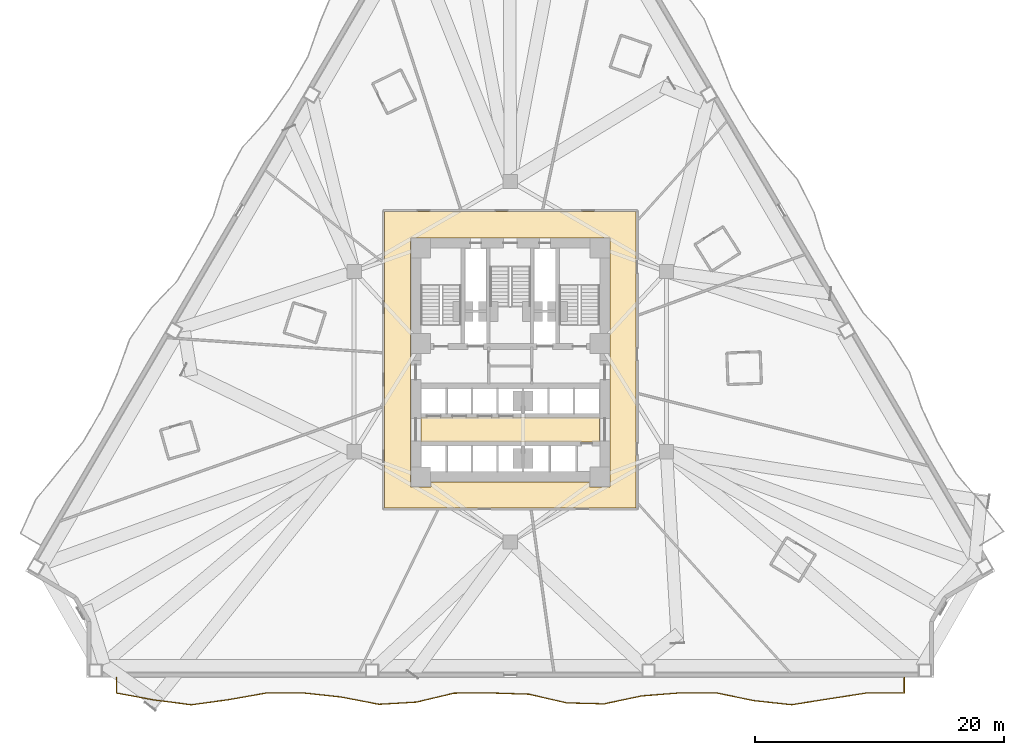
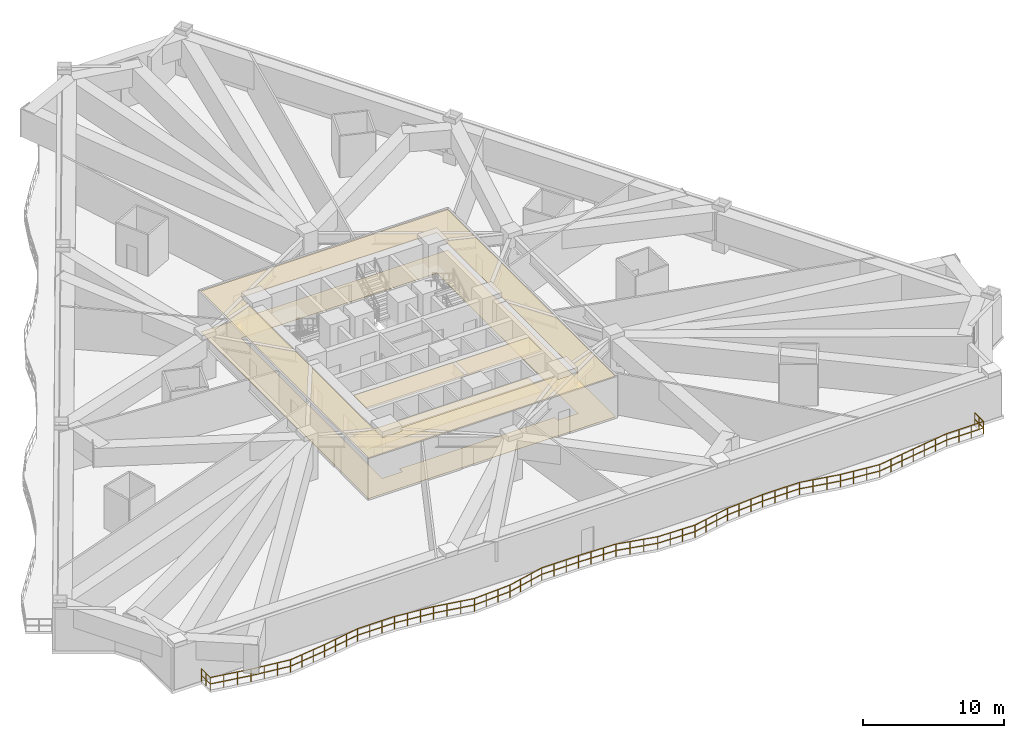
# One storey, part 12 of 16: 4 coverings, 1 railing.
"""IFC4 building model written with IfcOpenShell, lengths in metres."""

from ifc_helpers import new_model, si_unit, direction, frame, origin, origin_2d, place, context, subcontext, project, spatial, polyline, rectangle, outline, extrude, material, layer, layer_set, type_object, element, save


model = new_model("IFC4")

# Units and contexts
model_context = context("Model", 3, precision=1e-05, world=origin(), true_north=direction((0.0, 1.0)))
body_context = subcontext(model_context, "Body", "Model", "MODEL_VIEW")
ifc_project = project(units=[si_unit("LENGTHUNIT", "METRE"), si_unit("AREAUNIT", "SQUARE_METRE"), si_unit("VOLUMEUNIT", "CUBIC_METRE"), si_unit("PLANEANGLEUNIT", "RADIAN"), si_unit("MASSUNIT", "GRAM", prefix="KILO")], contexts=[model_context])

# Site, building, storey
site_placement = place(None, origin())
site = spatial("IfcSite", under=ifc_project, at=site_placement, CompositionType="ELEMENT")
building_placement = place(site_placement, origin())
building = spatial("IfcBuilding", under=site, at=building_placement, Name="Apsidion Concourse Tower", CompositionType="ELEMENT")
storey_placement = place(building_placement, frame((0.0, 0.0, 58.39990234375)))
storey = spatial("IfcBuildingStorey", under=building, at=storey_placement, Name="L12", CompositionType="ELEMENT", Elevation=58.39990234375)

# Coverings
ifc_material_1 = material(Name="Acoustic mineral fibre ceiling")
ifc_layer_1 = layer(ifc_material_1, 0.0400390625)
ifc_layer_set_1 = layer_set([ifc_layer_1], Name="Acoustic mineral fibre ceiling")
covering_type_1 = type_object("IfcCoveringType", Name="COV-CEIL-40", PredefinedType="CEILING", material=ifc_layer_set_1)
covering_1_placement = place(storey_placement, frame((0.0, 0.0, 3.5)))
element("IfcCovering", 1, at=covering_1_placement, inside=storey, type_object=covering_type_1, Name="L12 Acoustic Ceiling Grid 1", PredefinedType="CEILING", context=body_context, shape_type="SweptSolid", body=[
    extrude(outline(polyline([(-7.179931640625, -6.449951171875), (-7.179931640625, -4.47998046875), (7.179931640625, -4.47998046875), (7.179931640625, -6.449951171875), (-7.179931640625, -6.449951171875)])), origin(), (0.0, 0.0, 1.0), 0.0400390625),
])
covering_2_placement = place(storey_placement, frame((0.0, 0.0, 3.5)))
element("IfcCovering", 2, at=covering_2_placement, inside=storey, type_object=covering_type_1, Name="L12 Acoustic Ceiling Grid 2", PredefinedType="CEILING", context=body_context, shape_type="SweptSolid", body=[
    extrude(outline(polyline([(10.1201171875, 12.070068359375), (10.1201171875, -11.77001953125), (-10.1201171875, -11.77001953125), (-10.1201171875, 12.070068359375), (10.1201171875, 12.070068359375)]), holes=[polyline([(-8.02001953125, 9.949951171875), (-8.02001953125, 8.35009765625), (-8.02001953125, 2.25), (-8.02001953125, 0.64990234375), (-8.02001953125, -8.449951171875), (-8.02001953125, -9.669921875), (-8.02001953125, -10.050048828125), (-8.02001953125, -10.052001953125), (-8.01953125, -10.053955078125), (-8.01904296875, -10.055908203125), (-8.0185546875, -10.0576171875), (-8.017578125, -10.059326171875), (-8.0166015625, -10.06103515625), (-8.015380859375, -10.062744140625), (-8.01416015625, -10.064208984375), (-8.0126953125, -10.0654296875), (-8.010986328125, -10.066650390625), (-8.009521484375, -10.067626953125), (-8.0078125, -10.068603515625), (-8.005859375, -10.069091796875), (-8.00390625, -10.069580078125), (-8.001953125, -10.06982421875), (-8.0, -10.070068359375), (-6.39990234375, -10.070068359375), (-6.39794921875, -10.06982421875), (-6.39599609375, -10.069580078125), (-6.394287109375, -10.069091796875), (-6.392333984375, -10.068603515625), (-6.390625, -10.067626953125), (-6.388916015625, -10.066650390625), (-6.38720703125, -10.0654296875), (-6.385986328125, -10.064208984375), (-6.384521484375, -10.062744140625), (-6.38330078125, -10.06103515625), (-6.38232421875, -10.059326171875), (-6.381591796875, -10.0576171875), (-6.380859375, -10.055908203125), (-6.38037109375, -10.053955078125), (-6.380126953125, -10.052001953125), (-6.3798828125, -10.050048828125), (-6.3798828125, -9.669921875), (6.3798828125, -9.669921875), (6.3798828125, -10.050048828125), (6.380126953125, -10.052001953125), (6.38037109375, -10.053955078125), (6.380859375, -10.055908203125), (6.381591796875, -10.0576171875), (6.38232421875, -10.059326171875), (6.38330078125, -10.06103515625), (6.384521484375, -10.062744140625), (6.385986328125, -10.064208984375), (6.38720703125, -10.0654296875), (6.388916015625, -10.066650390625), (6.390625, -10.067626953125), (6.392333984375, -10.068603515625), (6.394287109375, -10.069091796875), (6.39599609375, -10.069580078125), (6.39794921875, -10.06982421875), (6.39990234375, -10.070068359375), (8.0, -10.070068359375), (8.001953125, -10.06982421875), (8.00390625, -10.069580078125), (8.005859375, -10.069091796875), (8.0078125, -10.068603515625), (8.009521484375, -10.067626953125), (8.010986328125, -10.066650390625), (8.0126953125, -10.0654296875), (8.01416015625, -10.064208984375), (8.015380859375, -10.062744140625), (8.0166015625, -10.06103515625), (8.017578125, -10.059326171875), (8.0185546875, -10.0576171875), (8.01904296875, -10.055908203125), (8.01953125, -10.053955078125), (8.02001953125, -10.052001953125), (8.02001953125, -10.050048828125), (8.02001953125, -9.669921875), (8.02001953125, -8.449951171875), (8.02001953125, 0.64990234375), (8.02001953125, 2.25), (8.02001953125, 8.35009765625), (8.02001953125, 9.949951171875), (8.02001953125, 9.969970703125), (8.0, 9.969970703125), (6.39990234375, 9.969970703125), (-6.39990234375, 9.969970703125), (-8.0, 9.969970703125), (-8.02001953125, 9.969970703125), (-8.02001953125, 9.949951171875)])]), origin(), (0.0, 0.0, 1.0), 0.0400390625),
])
ifc_material_2 = material(Name="Honed travertine floor finish", Category="masonry")
ifc_layer_2 = layer(ifc_material_2, 0.02001953125)
ifc_layer_set_2 = layer_set([ifc_layer_2], Name="Honed travertine floor finish")
covering_type_2 = type_object("IfcCoveringType", Name="COV-FLOR-20", PredefinedType="FLOORING", material=ifc_layer_set_2)
covering_3_placement = place(storey_placement, origin())
element("IfcCovering", 3, at=covering_3_placement, inside=storey, type_object=covering_type_2, Name="L12 Honed Travertine Floor Finish 1", PredefinedType="FLOORING", context=body_context, shape_type="SweptSolid", body=[
    extrude(outline(polyline([(-7.179931640625, -6.449951171875), (-7.179931640625, -4.47998046875), (7.179931640625, -4.47998046875), (7.179931640625, -6.449951171875), (-7.179931640625, -6.449951171875)])), origin(), (0.0, 0.0, 1.0), 0.02001953125),
])
covering_4_placement = place(storey_placement, origin())
element("IfcCovering", 4, at=covering_4_placement, inside=storey, type_object=covering_type_2, Name="L12 Honed Travertine Floor Finish 2", PredefinedType="FLOORING", context=body_context, shape_type="SweptSolid", body=[
    extrude(outline(polyline([(10.1201171875, 12.070068359375), (10.1201171875, -11.77001953125), (-10.1201171875, -11.77001953125), (-10.1201171875, 12.070068359375), (10.1201171875, 12.070068359375)]), holes=[polyline([(-8.02001953125, 9.949951171875), (-8.02001953125, 8.35009765625), (-8.02001953125, 2.25), (-8.02001953125, 0.64990234375), (-8.02001953125, -8.449951171875), (-8.02001953125, -9.669921875), (-8.02001953125, -10.050048828125), (-8.02001953125, -10.052001953125), (-8.01953125, -10.053955078125), (-8.01904296875, -10.055908203125), (-8.0185546875, -10.0576171875), (-8.017578125, -10.059326171875), (-8.0166015625, -10.06103515625), (-8.015380859375, -10.062744140625), (-8.01416015625, -10.064208984375), (-8.0126953125, -10.0654296875), (-8.010986328125, -10.066650390625), (-8.009521484375, -10.067626953125), (-8.0078125, -10.068603515625), (-8.005859375, -10.069091796875), (-8.00390625, -10.069580078125), (-8.001953125, -10.06982421875), (-8.0, -10.070068359375), (-6.39990234375, -10.070068359375), (-6.39794921875, -10.06982421875), (-6.39599609375, -10.069580078125), (-6.394287109375, -10.069091796875), (-6.392333984375, -10.068603515625), (-6.390625, -10.067626953125), (-6.388916015625, -10.066650390625), (-6.38720703125, -10.0654296875), (-6.385986328125, -10.064208984375), (-6.384521484375, -10.062744140625), (-6.38330078125, -10.06103515625), (-6.38232421875, -10.059326171875), (-6.381591796875, -10.0576171875), (-6.380859375, -10.055908203125), (-6.38037109375, -10.053955078125), (-6.380126953125, -10.052001953125), (-6.3798828125, -10.050048828125), (-6.3798828125, -9.669921875), (6.3798828125, -9.669921875), (6.3798828125, -10.050048828125), (6.380126953125, -10.052001953125), (6.38037109375, -10.053955078125), (6.380859375, -10.055908203125), (6.381591796875, -10.0576171875), (6.38232421875, -10.059326171875), (6.38330078125, -10.06103515625), (6.384521484375, -10.062744140625), (6.385986328125, -10.064208984375), (6.38720703125, -10.0654296875), (6.388916015625, -10.066650390625), (6.390625, -10.067626953125), (6.392333984375, -10.068603515625), (6.394287109375, -10.069091796875), (6.39599609375, -10.069580078125), (6.39794921875, -10.06982421875), (6.39990234375, -10.070068359375), (8.0, -10.070068359375), (8.001953125, -10.06982421875), (8.00390625, -10.069580078125), (8.005859375, -10.069091796875), (8.0078125, -10.068603515625), (8.009521484375, -10.067626953125), (8.010986328125, -10.066650390625), (8.0126953125, -10.0654296875), (8.01416015625, -10.064208984375), (8.015380859375, -10.062744140625), (8.0166015625, -10.06103515625), (8.017578125, -10.059326171875), (8.0185546875, -10.0576171875), (8.01904296875, -10.055908203125), (8.01953125, -10.053955078125), (8.02001953125, -10.052001953125), (8.02001953125, -10.050048828125), (8.02001953125, -9.669921875), (8.02001953125, -8.449951171875), (8.02001953125, 0.64990234375), (8.02001953125, 2.25), (8.02001953125, 8.35009765625), (8.02001953125, 9.949951171875), (8.02001953125, 9.969970703125), (8.0, 9.969970703125), (6.39990234375, 9.969970703125), (-6.39990234375, 9.969970703125), (-8.0, 9.969970703125), (-8.02001953125, 9.969970703125), (-8.02001953125, 9.949951171875)])]), origin(), (0.0, 0.0, 1.0), 0.02001953125),
])

# Railing
ifc_material_3 = material(Name="Brushed stainless steel 316", Category="steel")
railing_type = type_object("IfcRailingType", Name="RL-BAL-1120", PredefinedType="BALUSTRADE", material=ifc_material_3)
railing_placement = place(storey_placement, frame((31.68798828125, -25.39990234375, 0.0)))
element("IfcRailing", 5, at=railing_placement, inside=storey, type_object=railing_type, Name="L12 Face 2 Rippling Balcony Balustrade", PredefinedType="BALUSTRADE", context=body_context, shape_type="SweptSolid", body=[
    extrude(rectangle(XDim=0.048095703125, YDim=0.048095703125, at=origin_2d()), frame((0.0, 0.0, 1.09619140625), z_axis=(0.0, -1.0, 0.0), x_axis=(1.0, 0.0, 0.0)), (0.0, 0.0, 1.0), 1.25),
    extrude(rectangle(XDim=0.048095703125, YDim=0.048095703125, at=origin_2d()), frame((0.0, 0.0, 0.5361328125), z_axis=(0.0, -1.0, 0.0), x_axis=(1.0, 0.0, 0.0)), (0.0, 0.0, 1.0), 1.25),
    extrude(rectangle(XDim=0.048095703125, YDim=0.048095703125, at=origin_2d()), frame((0.0, -1.25, 1.09619140625), z_axis=(-1.0, 0.0, 0.0), x_axis=(0.0, -1.0, 0.0)), (0.0, 0.0, 1.0), 3.017822265625),
    extrude(rectangle(XDim=0.048095703125, YDim=0.048095703125, at=origin_2d()), frame((0.0, -1.25, 0.5361328125), z_axis=(-1.0, 0.0, 0.0), x_axis=(0.0, -1.0, 0.0)), (0.0, 0.0, 1.0), 3.017822265625),
    extrude(rectangle(XDim=0.048095703125, YDim=0.048095703125, at=origin_2d()), frame((-3.017822265625, -1.25, 1.09619140625), z_axis=(-0.988259593014, -0.152784085612, 0.0), x_axis=(0.152784085612, -0.988259593014, 0.0)), (0.0, 0.0, 1.0), 3.0537109375),
    extrude(rectangle(XDim=0.048095703125, YDim=0.048095703125, at=origin_2d()), frame((-3.017822265625, -1.25, 0.5361328125), z_axis=(-0.988259593014, -0.152784085612, 0.0), x_axis=(0.152784085612, -0.988259593014, 0.0)), (0.0, 0.0, 1.0), 3.0537109375),
    extrude(rectangle(XDim=0.048095703125, YDim=0.048095703125, at=origin_2d()), frame((-6.03564453125, -1.716552734375, 1.09619140625), z_axis=(-0.987673398745, -0.15652877503, 0.0), x_axis=(0.15652877503, -0.987673398745, 0.0)), (0.0, 0.0, 1.0), 3.055419921875),
    extrude(rectangle(XDim=0.048095703125, YDim=0.048095703125, at=origin_2d()), frame((-6.03564453125, -1.716552734375, 0.5361328125), z_axis=(-0.987673398745, -0.15652877503, 0.0), x_axis=(0.15652877503, -0.987673398745, 0.0)), (0.0, 0.0, 1.0), 3.055419921875),
    extrude(rectangle(XDim=0.048095703125, YDim=0.048095703125, at=origin_2d()), frame((-9.053466796875, -2.19482421875, 1.09619140625), z_axis=(-0.99421076335, 0.107447466416, 0.0), x_axis=(-0.107447466416, -0.99421076335, 0.0)), (0.0, 0.0, 1.0), 3.03564453125),
    extrude(rectangle(XDim=0.048095703125, YDim=0.048095703125, at=origin_2d()), frame((-9.053466796875, -2.19482421875, 0.5361328125), z_axis=(-0.99421076335, 0.107447466416, 0.0), x_axis=(-0.107447466416, -0.99421076335, 0.0)), (0.0, 0.0, 1.0), 3.03564453125),
    extrude(rectangle(XDim=0.048095703125, YDim=0.048095703125, at=origin_2d()), frame((-12.071533203125, -1.86865234375, 1.09619140625), z_axis=(-0.97963068948, 0.200807649826, 0.0), x_axis=(-0.200807649826, -0.97963068948, 0.0)), (0.0, 0.0, 1.0), 3.080810546875),
    extrude(rectangle(XDim=0.048095703125, YDim=0.048095703125, at=origin_2d()), frame((-12.071533203125, -1.86865234375, 0.5361328125), z_axis=(-0.97963068948, 0.200807649826, 0.0), x_axis=(-0.200807649826, -0.97963068948, 0.0)), (0.0, 0.0, 1.0), 3.080810546875),
    extrude(rectangle(XDim=0.048095703125, YDim=0.048095703125, at=origin_2d()), frame((-15.089599609375, -1.25, 1.09619140625), z_axis=(-1.0, 0.0, 0.0), x_axis=(0.0, -1.0, 0.0)), (0.0, 0.0, 1.0), 3.017822265625),
    extrude(rectangle(XDim=0.048095703125, YDim=0.048095703125, at=origin_2d()), frame((-15.089599609375, -1.25, 0.5361328125), z_axis=(-1.0, 0.0, 0.0), x_axis=(0.0, -1.0, 0.0)), (0.0, 0.0, 1.0), 3.017822265625),
    extrude(rectangle(XDim=0.048095703125, YDim=0.048095703125, at=origin_2d()), frame((-18.107421875, -1.25, 1.09619140625), z_axis=(-0.996954013854, -0.077991629431, 0.0), x_axis=(0.077991629431, -0.996954013854, 0.0)), (0.0, 0.0, 1.0), 3.027099609375),
    extrude(rectangle(XDim=0.048095703125, YDim=0.048095703125, at=origin_2d()), frame((-18.107421875, -1.25, 0.5361328125), z_axis=(-0.996954013854, -0.077991629431, 0.0), x_axis=(0.077991629431, -0.996954013854, 0.0)), (0.0, 0.0, 1.0), 3.027099609375),
    extrude(rectangle(XDim=0.048095703125, YDim=0.048095703125, at=origin_2d()), frame((-21.125244140625, -1.486083984375, 1.09619140625), z_axis=(-0.978282779976, -0.207274702755, 0.0), x_axis=(0.207274702755, -0.978282779976, 0.0)), (0.0, 0.0, 1.0), 3.084716796875),
    extrude(rectangle(XDim=0.048095703125, YDim=0.048095703125, at=origin_2d()), frame((-21.125244140625, -1.486083984375, 0.5361328125), z_axis=(-0.978282779976, -0.207274702755, 0.0), x_axis=(0.207274702755, -0.978282779976, 0.0)), (0.0, 0.0, 1.0), 3.084716796875),
    extrude(rectangle(XDim=0.048095703125, YDim=0.048095703125, at=origin_2d()), frame((-24.14306640625, -2.12548828125, 1.09619140625), z_axis=(-0.999660934702, 0.026038733293, 0.0), x_axis=(-0.026038733293, -0.999660934702, 0.0)), (0.0, 0.0, 1.0), 3.01904296875),
    extrude(rectangle(XDim=0.048095703125, YDim=0.048095703125, at=origin_2d()), frame((-24.14306640625, -2.12548828125, 0.5361328125), z_axis=(-0.999660934702, 0.026038733293, 0.0), x_axis=(-0.026038733293, -0.999660934702, 0.0)), (0.0, 0.0, 1.0), 3.01904296875),
    extrude(rectangle(XDim=0.048095703125, YDim=0.048095703125, at=origin_2d()), frame((-27.1611328125, -2.046875, 1.09619140625), z_axis=(-0.97424487037, 0.225492644133, 0.0), x_axis=(-0.225492644133, -0.97424487037, 0.0)), (0.0, 0.0, 1.0), 3.09765625),
    extrude(rectangle(XDim=0.048095703125, YDim=0.048095703125, at=origin_2d()), frame((-27.1611328125, -2.046875, 0.5361328125), z_axis=(-0.97424487037, 0.225492644133, 0.0), x_axis=(-0.225492644133, -0.97424487037, 0.0)), (0.0, 0.0, 1.0), 3.09765625),
    extrude(rectangle(XDim=0.048095703125, YDim=0.048095703125, at=origin_2d()), frame((-30.178955078125, -1.348388671875, 1.09619140625), z_axis=(-0.999469046332, 0.03258259389, 0.0), x_axis=(-0.03258259389, -0.999469046332, 0.0)), (0.0, 0.0, 1.0), 3.019775390625),
    extrude(rectangle(XDim=0.048095703125, YDim=0.048095703125, at=origin_2d()), frame((-30.178955078125, -1.348388671875, 0.5361328125), z_axis=(-0.999469046332, 0.03258259389, 0.0), x_axis=(-0.03258259389, -0.999469046332, 0.0)), (0.0, 0.0, 1.0), 3.019775390625),
    extrude(rectangle(XDim=0.048095703125, YDim=0.048095703125, at=origin_2d()), frame((-33.197021484375, -1.25, 1.09619140625), z_axis=(-0.99998936823, -0.004611228379, 0.0), x_axis=(0.004611228379, -0.99998936823, 0.0)), (0.0, 0.0, 1.0), 3.017822265625),
    extrude(rectangle(XDim=0.048095703125, YDim=0.048095703125, at=origin_2d()), frame((-33.197021484375, -1.25, 0.5361328125), z_axis=(-0.99998936823, -0.004611228379, 0.0), x_axis=(0.004611228379, -0.99998936823, 0.0)), (0.0, 0.0, 1.0), 3.017822265625),
    extrude(rectangle(XDim=0.048095703125, YDim=0.048095703125, at=origin_2d()), frame((-36.21484375, -1.263916015625, 1.09619140625), z_axis=(-0.972758913206, -0.231819103568, 0.0), x_axis=(0.231819103568, -0.972758913206, 0.0)), (0.0, 0.0, 1.0), 3.1025390625),
    extrude(rectangle(XDim=0.048095703125, YDim=0.048095703125, at=origin_2d()), frame((-36.21484375, -1.263916015625, 0.5361328125), z_axis=(-0.972758913206, -0.231819103568, 0.0), x_axis=(0.231819103568, -0.972758913206, 0.0)), (0.0, 0.0, 1.0), 3.1025390625),
    extrude(rectangle(XDim=0.048095703125, YDim=0.048095703125, at=origin_2d()), frame((-39.23291015625, -1.983154296875, 1.09619140625), z_axis=(-0.998246413428, -0.059195422785, 0.0), x_axis=(0.059195422785, -0.998246413428, 0.0)), (0.0, 0.0, 1.0), 3.023193359375),
    extrude(rectangle(XDim=0.048095703125, YDim=0.048095703125, at=origin_2d()), frame((-39.23291015625, -1.983154296875, 0.5361328125), z_axis=(-0.998246413428, -0.059195422785, 0.0), x_axis=(0.059195422785, -0.998246413428, 0.0)), (0.0, 0.0, 1.0), 3.023193359375),
    extrude(rectangle(XDim=0.048095703125, YDim=0.048095703125, at=origin_2d()), frame((-42.250732421875, -2.162109375, 1.09619140625), z_axis=(-0.981742071642, 0.190216993899, 0.0), x_axis=(-0.190216993899, -0.981742071642, 0.0)), (0.0, 0.0, 1.0), 3.073974609375),
    extrude(rectangle(XDim=0.048095703125, YDim=0.048095703125, at=origin_2d()), frame((-42.250732421875, -2.162109375, 0.5361328125), z_axis=(-0.981742071642, 0.190216993899, 0.0), x_axis=(-0.190216993899, -0.981742071642, 0.0)), (0.0, 0.0, 1.0), 3.073974609375),
    extrude(rectangle(XDim=0.048095703125, YDim=0.048095703125, at=origin_2d()), frame((-45.2685546875, -1.577392578125, 1.09619140625), z_axis=(-0.994166793265, 0.107853545002, 0.0), x_axis=(-0.107853545002, -0.994166793265, 0.0)), (0.0, 0.0, 1.0), 3.03564453125),
    extrude(rectangle(XDim=0.048095703125, YDim=0.048095703125, at=origin_2d()), frame((-45.2685546875, -1.577392578125, 0.5361328125), z_axis=(-0.994166793265, 0.107853545002, 0.0), x_axis=(-0.107853545002, -0.994166793265, 0.0)), (0.0, 0.0, 1.0), 3.03564453125),
    extrude(rectangle(XDim=0.048095703125, YDim=0.048095703125, at=origin_2d()), frame((-48.286376953125, -1.25, 1.09619140625), z_axis=(-1.0, 0.0, 0.0), x_axis=(0.0, -1.0, 0.0)), (0.0, 0.0, 1.0), 3.01806640625),
    extrude(rectangle(XDim=0.048095703125, YDim=0.048095703125, at=origin_2d()), frame((-48.286376953125, -1.25, 0.5361328125), z_axis=(-1.0, 0.0, 0.0), x_axis=(0.0, -1.0, 0.0)), (0.0, 0.0, 1.0), 3.01806640625),
    extrude(rectangle(XDim=0.048095703125, YDim=0.048095703125, at=origin_2d()), frame((-51.304443359375, -1.25, 1.09619140625), z_axis=(-0.984585680031, -0.174902940734, 0.0), x_axis=(0.174902940734, -0.984585680031, 0.0)), (0.0, 0.0, 1.0), 3.0654296875),
    extrude(rectangle(XDim=0.048095703125, YDim=0.048095703125, at=origin_2d()), frame((-51.304443359375, -1.25, 0.5361328125), z_axis=(-0.984585680031, -0.174902940734, 0.0), x_axis=(0.174902940734, -0.984585680031, 0.0)), (0.0, 0.0, 1.0), 3.0654296875),
    extrude(rectangle(XDim=0.048095703125, YDim=0.048095703125, at=origin_2d()), frame((-54.322509765625, -1.7861328125, 1.09619140625), z_axis=(-0.990728932231, -0.135853534514, 0.0), x_axis=(0.135853534514, -0.990728932231, 0.0)), (0.0, 0.0, 1.0), 3.046142578125),
    extrude(rectangle(XDim=0.048095703125, YDim=0.048095703125, at=origin_2d()), frame((-54.322509765625, -1.7861328125, 0.5361328125), z_axis=(-0.990728932231, -0.135853534514, 0.0), x_axis=(0.135853534514, -0.990728932231, 0.0)), (0.0, 0.0, 1.0), 3.046142578125),
    extrude(rectangle(XDim=0.048095703125, YDim=0.048095703125, at=origin_2d()), frame((-57.34033203125, -2.199951171875, 1.09619140625), z_axis=(-0.991458935987, 0.130419240346, 0.0), x_axis=(-0.130419240346, -0.991458935987, 0.0)), (0.0, 0.0, 1.0), 3.043701171875),
    extrude(rectangle(XDim=0.048095703125, YDim=0.048095703125, at=origin_2d()), frame((-57.34033203125, -2.199951171875, 0.5361328125), z_axis=(-0.991458935987, 0.130419240346, 0.0), x_axis=(-0.130419240346, -0.991458935987, 0.0)), (0.0, 0.0, 1.0), 3.043701171875),
    extrude(rectangle(XDim=0.048095703125, YDim=0.048095703125, at=origin_2d()), frame((-60.358154296875, -1.802978515625, 1.09619140625), z_axis=(-0.983623255084, 0.180236766667, 0.0), x_axis=(-0.180236766667, -0.983623255084, 0.0)), (0.0, 0.0, 1.0), 3.068115234375),
    extrude(rectangle(XDim=0.048095703125, YDim=0.048095703125, at=origin_2d()), frame((-60.358154296875, -1.802978515625, 0.5361328125), z_axis=(-0.983623255084, 0.180236766667, 0.0), x_axis=(-0.180236766667, -0.983623255084, 0.0)), (0.0, 0.0, 1.0), 3.068115234375),
    extrude(rectangle(XDim=0.048095703125, YDim=0.048095703125, at=origin_2d()), frame((-63.3759765625, -1.25, 1.09619140625), z_axis=(0.0, 1.0, 0.0), x_axis=(-1.0, 0.0, 0.0)), (0.0, 0.0, 1.0), 1.25),
    extrude(rectangle(XDim=0.048095703125, YDim=0.048095703125, at=origin_2d()), frame((-63.3759765625, -1.25, 0.5361328125), z_axis=(0.0, 1.0, 0.0), x_axis=(-1.0, 0.0, 0.0)), (0.0, 0.0, 1.0), 1.25),
    extrude(rectangle(XDim=0.0419921875, YDim=0.0419921875, at=origin_2d()), origin(), (0.0, 0.0, 1.0), 1.072021484375),
    extrude(rectangle(XDim=0.0419921875, YDim=0.0419921875, at=origin_2d()), frame((0.0, -0.625, 0.0)), (0.0, 0.0, 1.0), 1.072021484375),
    extrude(rectangle(XDim=0.0419921875, YDim=0.0419921875, at=origin_2d()), frame((0.0, -1.25, 0.0)), (0.0, 0.0, 1.0), 1.072021484375),
    extrude(rectangle(XDim=0.0419921875, YDim=0.0419921875, at=origin_2d()), frame((-1.005859375, -1.25, 0.0)), (0.0, 0.0, 1.0), 1.072021484375),
    extrude(rectangle(XDim=0.0419921875, YDim=0.0419921875, at=origin_2d()), frame((-2.011962890625, -1.25, 0.0)), (0.0, 0.0, 1.0), 1.072021484375),
    extrude(rectangle(XDim=0.0419921875, YDim=0.0419921875, at=origin_2d()), frame((-3.017822265625, -1.25, 0.0)), (0.0, 0.0, 1.0), 1.072021484375),
    extrude(rectangle(XDim=0.0419921875, YDim=0.0419921875, at=origin_2d()), frame((-4.023681640625, -1.405517578125, 0.0)), (0.0, 0.0, 1.0), 1.072021484375),
    extrude(rectangle(XDim=0.0419921875, YDim=0.0419921875, at=origin_2d()), frame((-5.02978515625, -1.56103515625, 0.0)), (0.0, 0.0, 1.0), 1.072021484375),
    extrude(rectangle(XDim=0.0419921875, YDim=0.0419921875, at=origin_2d()), frame((-6.03564453125, -1.716552734375, 0.0)), (0.0, 0.0, 1.0), 1.072021484375),
    extrude(rectangle(XDim=0.0419921875, YDim=0.0419921875, at=origin_2d()), frame((-7.04150390625, -1.8759765625, 0.0)), (0.0, 0.0, 1.0), 1.072021484375),
    extrude(rectangle(XDim=0.0419921875, YDim=0.0419921875, at=origin_2d()), frame((-8.047607421875, -2.035400390625, 0.0)), (0.0, 0.0, 1.0), 1.072021484375),
    extrude(rectangle(XDim=0.0419921875, YDim=0.0419921875, at=origin_2d()), frame((-9.053466796875, -2.19482421875, 0.0)), (0.0, 0.0, 1.0), 1.072021484375),
    extrude(rectangle(XDim=0.0419921875, YDim=0.0419921875, at=origin_2d()), frame((-10.0595703125, -2.086181640625, 0.0)), (0.0, 0.0, 1.0), 1.072021484375),
    extrude(rectangle(XDim=0.0419921875, YDim=0.0419921875, at=origin_2d()), frame((-11.0654296875, -1.977294921875, 0.0)), (0.0, 0.0, 1.0), 1.072021484375),
    extrude(rectangle(XDim=0.0419921875, YDim=0.0419921875, at=origin_2d()), frame((-12.071533203125, -1.86865234375, 0.0)), (0.0, 0.0, 1.0), 1.072021484375),
    extrude(rectangle(XDim=0.0419921875, YDim=0.0419921875, at=origin_2d()), frame((-13.07763671875, -1.662353515625, 0.0)), (0.0, 0.0, 1.0), 1.072021484375),
    extrude(rectangle(XDim=0.0419921875, YDim=0.0419921875, at=origin_2d()), frame((-14.08349609375, -1.456298828125, 0.0)), (0.0, 0.0, 1.0), 1.072021484375),
    extrude(rectangle(XDim=0.0419921875, YDim=0.0419921875, at=origin_2d()), frame((-15.089599609375, -1.25, 0.0)), (0.0, 0.0, 1.0), 1.072021484375),
    extrude(rectangle(XDim=0.0419921875, YDim=0.0419921875, at=origin_2d()), frame((-16.095458984375, -1.25, 0.0)), (0.0, 0.0, 1.0), 1.072021484375),
    extrude(rectangle(XDim=0.0419921875, YDim=0.0419921875, at=origin_2d()), frame((-17.1015625, -1.25, 0.0)), (0.0, 0.0, 1.0), 1.072021484375),
    extrude(rectangle(XDim=0.0419921875, YDim=0.0419921875, at=origin_2d()), frame((-18.107421875, -1.25, 0.0)), (0.0, 0.0, 1.0), 1.072021484375),
    extrude(rectangle(XDim=0.0419921875, YDim=0.0419921875, at=origin_2d()), frame((-19.11328125, -1.32861328125, 0.0)), (0.0, 0.0, 1.0), 1.072021484375),
    extrude(rectangle(XDim=0.0419921875, YDim=0.0419921875, at=origin_2d()), frame((-20.119384765625, -1.407470703125, 0.0)), (0.0, 0.0, 1.0), 1.072021484375),
    extrude(rectangle(XDim=0.0419921875, YDim=0.0419921875, at=origin_2d()), frame((-21.125244140625, -1.486083984375, 0.0)), (0.0, 0.0, 1.0), 1.072021484375),
    extrude(rectangle(XDim=0.0419921875, YDim=0.0419921875, at=origin_2d()), frame((-22.131103515625, -1.69921875, 0.0)), (0.0, 0.0, 1.0), 1.072021484375),
    extrude(rectangle(XDim=0.0419921875, YDim=0.0419921875, at=origin_2d()), frame((-23.13720703125, -1.912353515625, 0.0)), (0.0, 0.0, 1.0), 1.072021484375),
    extrude(rectangle(XDim=0.0419921875, YDim=0.0419921875, at=origin_2d()), frame((-24.14306640625, -2.12548828125, 0.0)), (0.0, 0.0, 1.0), 1.072021484375),
    extrude(rectangle(XDim=0.0419921875, YDim=0.0419921875, at=origin_2d()), frame((-25.149169921875, -2.099365234375, 0.0)), (0.0, 0.0, 1.0), 1.072021484375),
    extrude(rectangle(XDim=0.0419921875, YDim=0.0419921875, at=origin_2d()), frame((-26.155029296875, -2.072998046875, 0.0)), (0.0, 0.0, 1.0), 1.072021484375),
    extrude(rectangle(XDim=0.0419921875, YDim=0.0419921875, at=origin_2d()), frame((-27.1611328125, -2.046875, 0.0)), (0.0, 0.0, 1.0), 1.072021484375),
    extrude(rectangle(XDim=0.0419921875, YDim=0.0419921875, at=origin_2d()), frame((-28.1669921875, -1.81396484375, 0.0)), (0.0, 0.0, 1.0), 1.072021484375),
    extrude(rectangle(XDim=0.0419921875, YDim=0.0419921875, at=origin_2d()), frame((-29.173095703125, -1.581298828125, 0.0)), (0.0, 0.0, 1.0), 1.072021484375),
    extrude(rectangle(XDim=0.0419921875, YDim=0.0419921875, at=origin_2d()), frame((-30.178955078125, -1.348388671875, 0.0)), (0.0, 0.0, 1.0), 1.072021484375),
    extrude(rectangle(XDim=0.0419921875, YDim=0.0419921875, at=origin_2d()), frame((-31.18505859375, -1.315673828125, 0.0)), (0.0, 0.0, 1.0), 1.072021484375),
    extrude(rectangle(XDim=0.0419921875, YDim=0.0419921875, at=origin_2d()), frame((-32.19091796875, -1.28271484375, 0.0)), (0.0, 0.0, 1.0), 1.072021484375),
    extrude(rectangle(XDim=0.0419921875, YDim=0.0419921875, at=origin_2d()), frame((-33.197021484375, -1.25, 0.0)), (0.0, 0.0, 1.0), 1.072021484375),
    extrude(rectangle(XDim=0.0419921875, YDim=0.0419921875, at=origin_2d()), frame((-34.202880859375, -1.254638671875, 0.0)), (0.0, 0.0, 1.0), 1.072021484375),
    extrude(rectangle(XDim=0.0419921875, YDim=0.0419921875, at=origin_2d()), frame((-35.208984375, -1.25927734375, 0.0)), (0.0, 0.0, 1.0), 1.072021484375),
    extrude(rectangle(XDim=0.0419921875, YDim=0.0419921875, at=origin_2d()), frame((-36.21484375, -1.263916015625, 0.0)), (0.0, 0.0, 1.0), 1.072021484375),
    extrude(rectangle(XDim=0.0419921875, YDim=0.0419921875, at=origin_2d()), frame((-37.220947265625, -1.503662109375, 0.0)), (0.0, 0.0, 1.0), 1.072021484375),
    extrude(rectangle(XDim=0.0419921875, YDim=0.0419921875, at=origin_2d()), frame((-38.226806640625, -1.743408203125, 0.0)), (0.0, 0.0, 1.0), 1.072021484375),
    extrude(rectangle(XDim=0.0419921875, YDim=0.0419921875, at=origin_2d()), frame((-39.23291015625, -1.983154296875, 0.0)), (0.0, 0.0, 1.0), 1.072021484375),
    extrude(rectangle(XDim=0.0419921875, YDim=0.0419921875, at=origin_2d()), frame((-40.23876953125, -2.042724609375, 0.0)), (0.0, 0.0, 1.0), 1.072021484375),
    extrude(rectangle(XDim=0.0419921875, YDim=0.0419921875, at=origin_2d()), frame((-41.244873046875, -2.1025390625, 0.0)), (0.0, 0.0, 1.0), 1.072021484375),
    extrude(rectangle(XDim=0.0419921875, YDim=0.0419921875, at=origin_2d()), frame((-42.250732421875, -2.162109375, 0.0)), (0.0, 0.0, 1.0), 1.072021484375),
    extrude(rectangle(XDim=0.0419921875, YDim=0.0419921875, at=origin_2d()), frame((-43.256591796875, -1.96728515625, 0.0)), (0.0, 0.0, 1.0), 1.072021484375),
    extrude(rectangle(XDim=0.0419921875, YDim=0.0419921875, at=origin_2d()), frame((-44.2626953125, -1.772216796875, 0.0)), (0.0, 0.0, 1.0), 1.072021484375),
    extrude(rectangle(XDim=0.0419921875, YDim=0.0419921875, at=origin_2d()), frame((-45.2685546875, -1.577392578125, 0.0)), (0.0, 0.0, 1.0), 1.072021484375),
    extrude(rectangle(XDim=0.0419921875, YDim=0.0419921875, at=origin_2d()), frame((-46.2744140625, -1.46826171875, 0.0)), (0.0, 0.0, 1.0), 1.072021484375),
    extrude(rectangle(XDim=0.0419921875, YDim=0.0419921875, at=origin_2d()), frame((-47.280517578125, -1.359130859375, 0.0)), (0.0, 0.0, 1.0), 1.072021484375),
    extrude(rectangle(XDim=0.0419921875, YDim=0.0419921875, at=origin_2d()), frame((-48.286376953125, -1.25, 0.0)), (0.0, 0.0, 1.0), 1.072021484375),
    extrude(rectangle(XDim=0.0419921875, YDim=0.0419921875, at=origin_2d()), frame((-49.29248046875, -1.25, 0.0)), (0.0, 0.0, 1.0), 1.072021484375),
    extrude(rectangle(XDim=0.0419921875, YDim=0.0419921875, at=origin_2d()), frame((-50.29833984375, -1.25, 0.0)), (0.0, 0.0, 1.0), 1.072021484375),
    extrude(rectangle(XDim=0.0419921875, YDim=0.0419921875, at=origin_2d()), frame((-51.304443359375, -1.25, 0.0)), (0.0, 0.0, 1.0), 1.072021484375),
    extrude(rectangle(XDim=0.0419921875, YDim=0.0419921875, at=origin_2d()), frame((-52.310546875, -1.4287109375, 0.0)), (0.0, 0.0, 1.0), 1.072021484375),
    extrude(rectangle(XDim=0.0419921875, YDim=0.0419921875, at=origin_2d()), frame((-53.31640625, -1.607421875, 0.0)), (0.0, 0.0, 1.0), 1.072021484375),
    extrude(rectangle(XDim=0.0419921875, YDim=0.0419921875, at=origin_2d()), frame((-54.322509765625, -1.7861328125, 0.0)), (0.0, 0.0, 1.0), 1.072021484375),
    extrude(rectangle(XDim=0.0419921875, YDim=0.0419921875, at=origin_2d()), frame((-55.328369140625, -1.924072265625, 0.0)), (0.0, 0.0, 1.0), 1.072021484375),
    extrude(rectangle(XDim=0.0419921875, YDim=0.0419921875, at=origin_2d()), frame((-56.33447265625, -2.06201171875, 0.0)), (0.0, 0.0, 1.0), 1.072021484375),
    extrude(rectangle(XDim=0.0419921875, YDim=0.0419921875, at=origin_2d()), frame((-57.34033203125, -2.199951171875, 0.0)), (0.0, 0.0, 1.0), 1.072021484375),
    extrude(rectangle(XDim=0.0419921875, YDim=0.0419921875, at=origin_2d()), frame((-58.34619140625, -2.067626953125, 0.0)), (0.0, 0.0, 1.0), 1.072021484375),
    extrude(rectangle(XDim=0.0419921875, YDim=0.0419921875, at=origin_2d()), frame((-59.352294921875, -1.935302734375, 0.0)), (0.0, 0.0, 1.0), 1.072021484375),
    extrude(rectangle(XDim=0.0419921875, YDim=0.0419921875, at=origin_2d()), frame((-60.358154296875, -1.802978515625, 0.0)), (0.0, 0.0, 1.0), 1.072021484375),
    extrude(rectangle(XDim=0.0419921875, YDim=0.0419921875, at=origin_2d()), frame((-61.364013671875, -1.61865234375, 0.0)), (0.0, 0.0, 1.0), 1.072021484375),
    extrude(rectangle(XDim=0.0419921875, YDim=0.0419921875, at=origin_2d()), frame((-62.3701171875, -1.434326171875, 0.0)), (0.0, 0.0, 1.0), 1.072021484375),
    extrude(rectangle(XDim=0.0419921875, YDim=0.0419921875, at=origin_2d()), frame((-63.3759765625, -1.25, 0.0)), (0.0, 0.0, 1.0), 1.072021484375),
    extrude(rectangle(XDim=0.0419921875, YDim=0.0419921875, at=origin_2d()), frame((-63.3759765625, -0.625, 0.0)), (0.0, 0.0, 1.0), 1.072021484375),
    extrude(rectangle(XDim=0.0419921875, YDim=0.0419921875, at=origin_2d()), frame((-63.3759765625, 0.0, 0.0)), (0.0, 0.0, 1.0), 1.072021484375),
])

save(model, "model.ifc")
